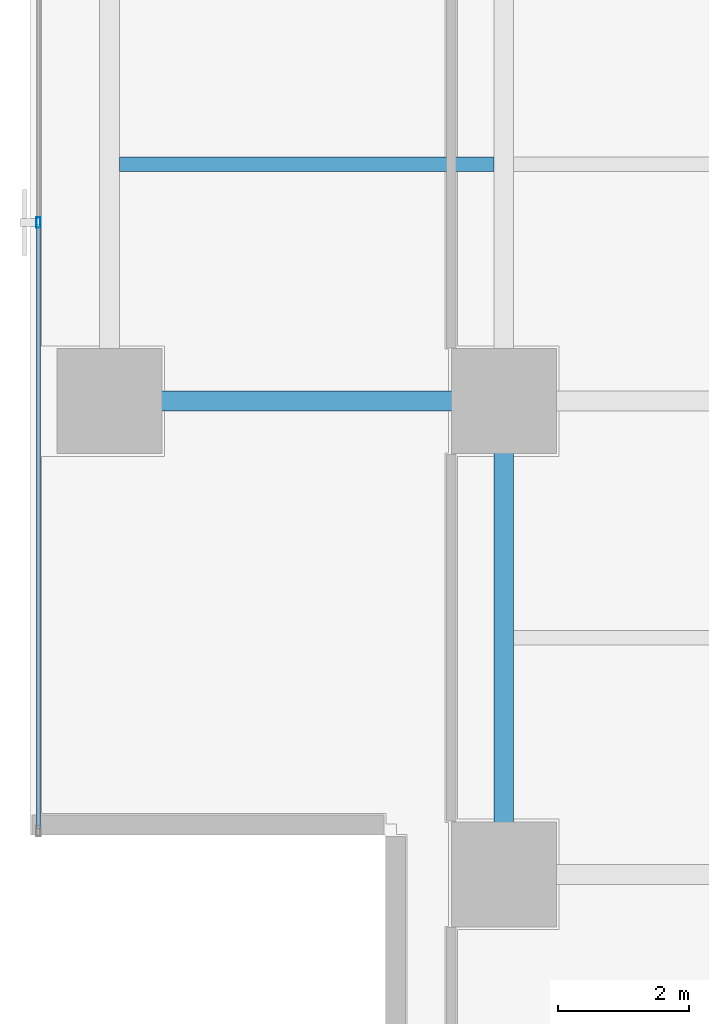
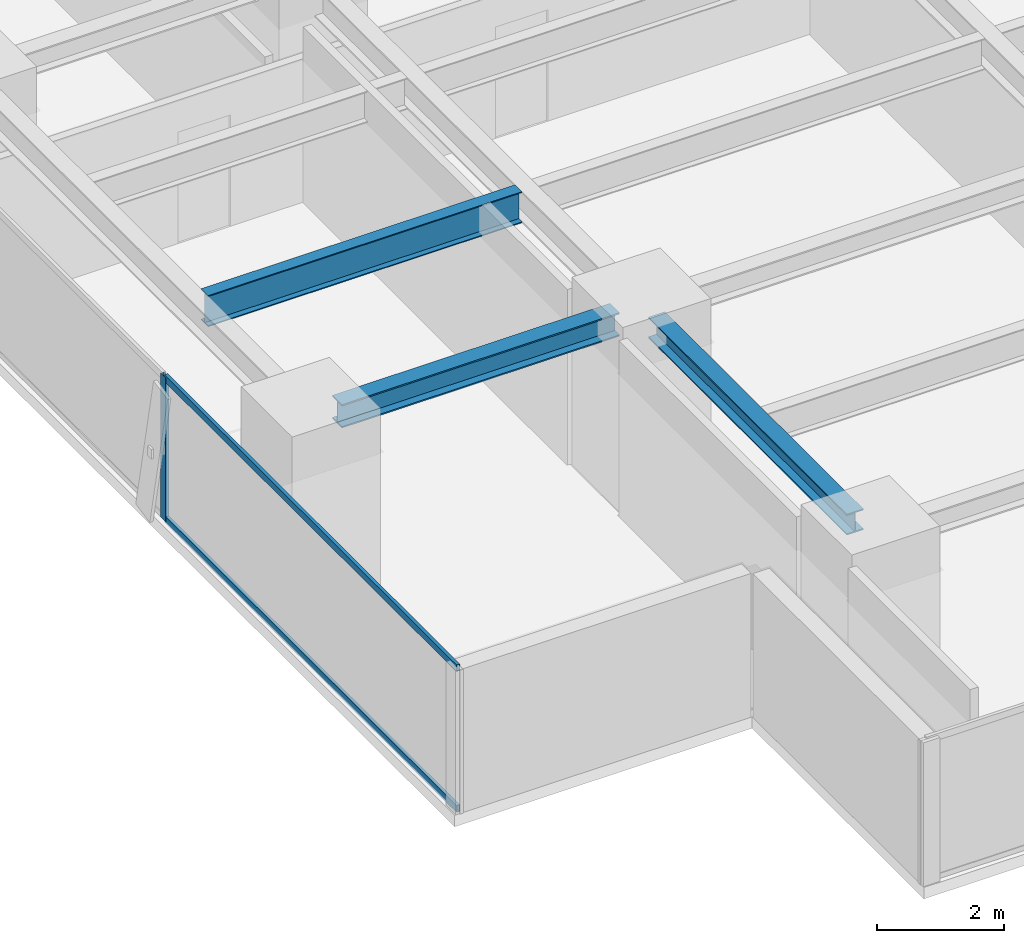
# One storey, part 3 of 28: 3 beams, 3 members, 1 element without a shape of its own.
"""IFC4 building model written with IfcOpenShell, lengths in metres."""

from ifc_helpers import new_model, si_unit, direction, frame, origin, origin_2d, place, context, subcontext, project, spatial, hollow_rectangle, i_section, extrude, source, transform, mapped, material, layer, layer_set, material_profile, profile_set, type_object, element, aggregate, save


model = new_model("IFC4")

# Units and contexts
model_context = context("Model", 3, precision=1e-05, world=origin(), true_north=direction((0.0, 1.0)))
body_context = subcontext(model_context, "Body", "Model", "MODEL_VIEW")
ifc_project = project(units=[si_unit("LENGTHUNIT", "METRE"), si_unit("AREAUNIT", "SQUARE_METRE"), si_unit("VOLUMEUNIT", "CUBIC_METRE"), si_unit("PLANEANGLEUNIT", "RADIAN"), si_unit("MASSUNIT", "GRAM", prefix="KILO")], contexts=[model_context])

# Site, building, storey
site_placement = place(None, origin())
site = spatial("IfcSite", under=ifc_project, at=site_placement, CompositionType="ELEMENT")
building_placement = place(site_placement, origin())
building = spatial("IfcBuilding", under=site, at=building_placement, Name="Sumidabori Civic Tower", CompositionType="ELEMENT")
storey_placement = place(building_placement, frame((0.0, 0.0, 153.199951171875)))
storey = spatial("IfcBuildingStorey", under=building, at=storey_placement, Name="L39", CompositionType="ELEMENT", Elevation=153.199951171875)

# Beams
ifc_material_1 = material(Name="Steel SN490", Category="steel")
ifc_material_profile_1 = material_profile(ifc_material_1, i_section(OverallWidth=0.300048828125, OverallDepth=0.39990234375, WebThickness=0.013427734375, FlangeThickness=0.02392578125, at=origin_2d()), Name="HE 400 B")
ifc_profile_set_1 = profile_set([ifc_material_profile_1], Name="Steel SN490")
beam_type_1 = type_object("IfcBeamType", Name="BM-GIRD-400", PredefinedType="BEAM", material=ifc_profile_set_1)
shared_shape_1 = source(origin(), body_context, "Body", "SweptSolid", [
    extrude(i_section(OverallWidth=0.300048828125, OverallDepth=0.39990234375, WebThickness=0.013427734375, FlangeThickness=0.02392578125, at=origin_2d()), origin(), (0.0, 0.0, 1.0), 6.239990234375),
])
beam_1_placement = place(storey_placement, frame((-16.800048828125, -17.52001953125, 3.179931640625), z_axis=(0.0, 1.0, 0.0), x_axis=(-1.0, 0.0, 0.0)))
element("IfcBeam", 1, at=beam_1_placement, inside=storey, type_object=beam_type_1, Name="Primary Girder L39 GY-22", PredefinedType="BEAM", context=body_context, shape_type="MappedRepresentation", body=[
    mapped(shared_shape_1, transform((0.0, 0.0, 0.0), x_axis=(1.0, 0.0, 0.0), y_axis=(0.0, 1.0, 0.0), z_axis=(0.0, 0.0, 1.0), scale=1.0)),
])
ifc_material_profile_2 = material_profile(ifc_material_1, i_section(OverallWidth=0.219970703125, OverallDepth=0.60009765625, WebThickness=0.011962890625, FlangeThickness=0.01904296875, at=origin_2d()), Name="IPE 600")
ifc_profile_set_2 = profile_set([ifc_material_profile_2], Name="Steel SN490")
beam_type_2 = type_object("IfcBeamType", Name="BM-JST-600", PredefinedType="JOIST", material=ifc_profile_set_2)
shared_shape_2 = source(origin(), body_context, "Body", "SweptSolid", [
    extrude(i_section(OverallWidth=0.219970703125, OverallDepth=0.60009765625, WebThickness=0.011962890625, FlangeThickness=0.01904296875, at=origin_2d()), origin(), (0.0, 0.0, 1.0), 5.699951171875),
])
beam_2_placement = place(storey_placement, frame((-22.64990234375, -7.199951171875, 3.080078125), z_axis=(1.0, 0.0, 0.0), x_axis=(0.0, 1.0, 0.0)))
element("IfcBeam", 2, at=beam_2_placement, inside=storey, type_object=beam_type_2, Name="Outer Bay Floor Joist L39 JSTO-39", PredefinedType="JOIST", context=body_context, shape_type="MappedRepresentation", body=[
    mapped(shared_shape_2, transform((0.0, 0.0, 0.0), x_axis=(1.0, 0.0, 0.0), y_axis=(0.0, 1.0, 0.0), z_axis=(0.0, 0.0, 1.0), scale=1.0)),
])
ifc_material_profile_3 = material_profile(ifc_material_1, i_section(OverallWidth=0.300048828125, OverallDepth=0.449951171875, WebThickness=0.013916015625, FlangeThickness=0.02587890625, at=origin_2d()), Name="HE 450 B")
ifc_profile_set_3 = profile_set([ifc_material_profile_3], Name="Steel SN490")
beam_type_3 = type_object("IfcBeamType", Name="BM-GIRD-450", PredefinedType="BEAM", material=ifc_profile_set_3)
shared_shape_3 = source(origin(), body_context, "Body", "SweptSolid", [
    extrude(i_section(OverallWidth=0.300048828125, OverallDepth=0.449951171875, WebThickness=0.013916015625, FlangeThickness=0.02587890625, at=origin_2d()), origin(), (0.0, 0.0, 1.0), 5.0400390625),
])
beam_3_placement = place(storey_placement, frame((-22.320068359375, -10.800048828125, 3.155029296875), z_axis=(1.0, 0.0, 0.0), x_axis=(0.0, 1.0, 0.0)))
element("IfcBeam", 3, at=beam_3_placement, inside=storey, type_object=beam_type_3, Name="Primary Girder L39 GX-05", PredefinedType="BEAM", context=body_context, shape_type="MappedRepresentation", body=[
    mapped(shared_shape_3, transform((0.0, 0.0, 0.0), x_axis=(1.0, 0.0, 0.0), y_axis=(0.0, 1.0, 0.0), z_axis=(0.0, 0.0, 1.0), scale=1.0)),
])

# Curtain wall, members
ifc_material_2 = material(Name="Anodised Bronze Aluminium AW-6063-T6", Category="aluminium")
ifc_layer = layer(ifc_material_2, 0.179931640625, Name="Anodised Bronze Aluminium AW-6063-T6")
ifc_layer_set = layer_set([ifc_layer], Name="Anodised Bronze Aluminium AW-6063-T6")
curtain_wall_type = type_object("IfcCurtainWallType", Name="CW-SYS-3", PredefinedType="NOTDEFINED", material=ifc_layer_set)
curtain_wall_placement = place(storey_placement, origin())
curtain_wall = element("IfcCurtainWall", 4, at=curtain_wall_placement, inside=storey, type_object=curtain_wall_type, Name="Curtain Wall CW:L39:R10", PredefinedType="NOTDEFINED")
ifc_material_profile_4 = material_profile(ifc_material_2, hollow_rectangle(XDim=0.06494140625, YDim=0.159912109375, WallThickness=0.0048828125, at=origin_2d()), Name="ALU MULLION 160x65")
ifc_profile_set_4 = profile_set([ifc_material_profile_4], Name="Anodised Bronze Aluminium AW-6063-T6")
member_type_1 = type_object("IfcMemberType", Name="CW-MUL-160", PredefinedType="MULLION", material=ifc_profile_set_4)
shared_shape_4 = source(origin(), body_context, "Body", "SweptSolid", [
    extrude(hollow_rectangle(XDim=0.06494140625, YDim=0.159912109375, WallThickness=0.0048828125, at=origin_2d()), origin(), (0.0, 0.0, 1.0), 2.760009765625),
])
member_1_placement = place(storey_placement, frame((-23.8798828125, -8.0849609375, 0.0), z_axis=(0.0, 0.0, 1.0), x_axis=(1.0, 0.0, 0.0)))
member_1 = element("IfcMember", 5, at=member_1_placement, type_object=member_type_1, Name="CW-3 mullion 4", PredefinedType="MULLION", context=body_context, shape_type="MappedRepresentation", body=[
    mapped(shared_shape_4, transform((0.0, 0.0, 0.0), x_axis=(1.0, 0.0, 0.0), y_axis=(0.0, 1.0, 0.0), z_axis=(0.0, 0.0, 1.0), scale=1.0)),
])
ifc_material_profile_5 = material_profile(ifc_material_2, hollow_rectangle(XDim=0.06005859375, YDim=0.1298828125, WallThickness=0.0048828125, at=origin_2d()), Name="ALU TRANSOM 130x60")
ifc_profile_set_5 = profile_set([ifc_material_profile_5], Name="Anodised Bronze Aluminium AW-6063-T6")
member_type_2 = type_object("IfcMemberType", Name="CW-TRN-130", PredefinedType="USERDEFINED", material=ifc_profile_set_5)
shared_shape_5 = source(origin(), body_context, "Body", "SweptSolid", [
    extrude(hollow_rectangle(XDim=0.06005859375, YDim=0.1298828125, WallThickness=0.0048828125, at=origin_2d()), origin(), (0.0, 0.0, 1.0), 9.1875),
])
member_2_placement = place(storey_placement, frame((-23.8798828125, -8.117431640625, 0.030029296875), z_axis=(0.0, -1.0, 0.0), x_axis=(1.0, 0.0, 0.0)))
member_2 = element("IfcMember", 6, at=member_2_placement, type_object=member_type_2, Name="CW-3 transom 4.1", ObjectType="TRANSOM", PredefinedType="USERDEFINED", context=body_context, shape_type="MappedRepresentation", body=[
    mapped(shared_shape_5, transform((0.0, 0.0, 0.0), x_axis=(1.0, 0.0, 0.0), y_axis=(0.0, 1.0, 0.0), z_axis=(0.0, 0.0, 1.0), scale=1.0)),
])
member_3_placement = place(storey_placement, frame((-23.8798828125, -8.117431640625, 2.72998046875), z_axis=(0.0, -1.0, 0.0), x_axis=(1.0, 0.0, 0.0)))
member_3 = element("IfcMember", 7, at=member_3_placement, type_object=member_type_2, Name="CW-3 transom 4.2", ObjectType="TRANSOM", PredefinedType="USERDEFINED", context=body_context, shape_type="MappedRepresentation", body=[
    mapped(shared_shape_5, transform((0.0, 0.0, 0.0), x_axis=(1.0, 0.0, 0.0), y_axis=(0.0, 1.0, 0.0), z_axis=(0.0, 0.0, 1.0), scale=1.0)),
])
aggregate(curtain_wall, [member_1, member_2, member_3])

save(model, "model.ifc")
